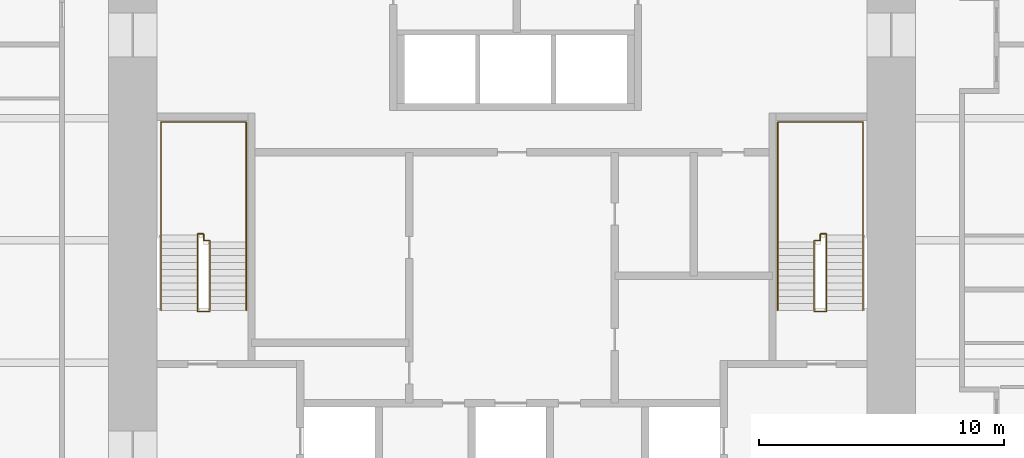
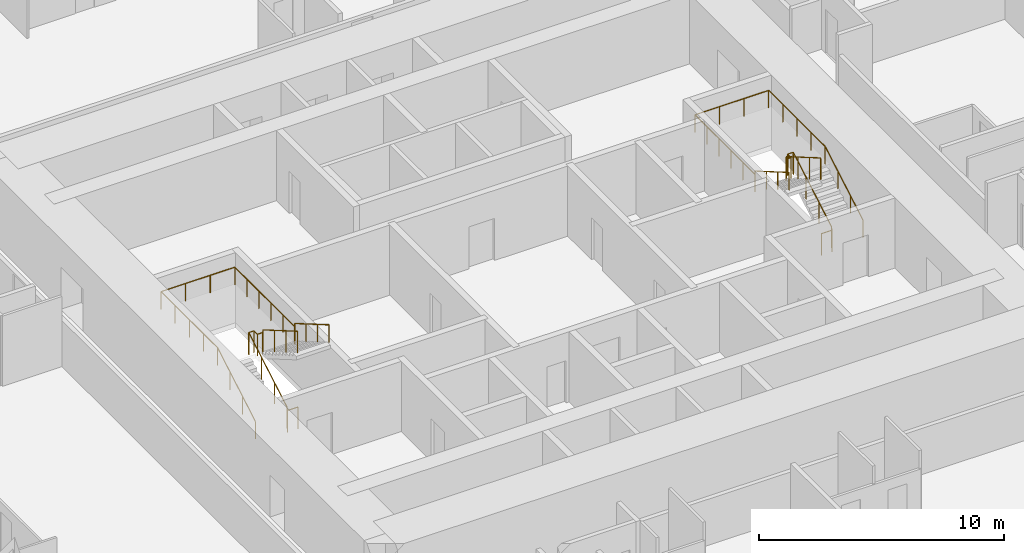
# One storey, part 17 of 17: 4 railings.
"""IFC4 building model written with IfcOpenShell, lengths in metres."""

from ifc_helpers import new_model, si_unit, direction, frame, origin, origin_2d, place, context, subcontext, project, spatial, circle, extrude, material, type_object, element, save


model = new_model("IFC4")

# Units and contexts
model_context = context("Model", 3, precision=1e-05, world=origin(), true_north=direction((0.0, 1.0)))
body_context = subcontext(model_context, "Body", "Model", "MODEL_VIEW")
ifc_project = project(units=[si_unit("LENGTHUNIT", "METRE"), si_unit("AREAUNIT", "SQUARE_METRE"), si_unit("VOLUMEUNIT", "CUBIC_METRE"), si_unit("PLANEANGLEUNIT", "RADIAN"), si_unit("MASSUNIT", "GRAM", prefix="KILO")], contexts=[model_context])

# Site, building, storey
site_placement = place(None, origin())
site = spatial("IfcSite", under=ifc_project, at=site_placement, CompositionType="ELEMENT")
building_placement = place(site_placement, origin())
building = spatial("IfcBuilding", under=site, at=building_placement, Name="Khuree Lantern Residences", CompositionType="ELEMENT")
storey_placement = place(building_placement, frame((0.0, 0.0, 77.25)))
storey = spatial("IfcBuildingStorey", under=building, at=storey_placement, Name="L19", CompositionType="ELEMENT", Elevation=77.25)

# Railings
ifc_material = material(Name="Steel S355", Category="steel")
railing_type_1 = type_object("IfcRailingType", Name="STAIR GUARD G1 1100", PredefinedType="GUARDRAIL", material=ifc_material)
railing_1_placement = place(storey_placement, frame((-12.35009765625, -2.909912109375, 0.0)))
element("IfcRailing", 1, at=railing_1_placement, inside=storey, type_object=railing_type_1, Name="Stair ST1 guard", PredefinedType="GUARDRAIL", context=body_context, shape_type="SweptSolid", body=[
    extrude(circle(Radius=0.02392578125, at=origin_2d()), frame((0.0, 0.0, 1.076171875), z_axis=(-1.0, 0.0, 0.0), x_axis=(0.0, -1.0, 0.0)), (0.0, 0.0, 1.0), 0.5),
    extrude(circle(Radius=0.02392578125, at=origin_2d()), frame((-0.5, 0.0, 1.076171875), z_axis=(0.0, 0.292073035251, 0.95639601739), x_axis=(-1.0, 0.0, 0.0)), (0.0, 0.0, 1.0), 0.17041015625),
    extrude(circle(Radius=0.02392578125, at=origin_2d()), frame((-0.5, 0.0498046875, 1.2392578125), z_axis=(0.0, 0.864176135923, 0.503189433615), x_axis=(-1.0, 0.0, 0.0)), (0.0, 0.0, 1.0), 3.564208984375),
    extrude(circle(Radius=0.02392578125, at=origin_2d()), frame((-0.5, 3.1298828125, 3.03271484375), z_axis=(0.0, 1.0, 0.0), x_axis=(-1.0, 0.0, 0.0)), (0.0, 0.0, 1.0), 0.050048828125),
    extrude(circle(Radius=0.02392578125, at=origin_2d()), frame((-0.5, 3.179931640625, 3.03271484375), z_axis=(1.0, 0.0, 0.0), x_axis=(0.0, 1.0, 0.0)), (0.0, 0.0, 1.0), 0.25),
    extrude(circle(Radius=0.02392578125, at=origin_2d()), frame((-0.25, 3.179931640625, 3.03271484375), z_axis=(0.0, -1.0, 0.0), x_axis=(1.0, 0.0, 0.0)), (0.0, 0.0, 1.0), 0.280029296875),
    extrude(circle(Radius=0.02392578125, at=origin_2d()), frame((-0.25, 2.89990234375, 3.03271484375), z_axis=(1.0, 0.0, 0.0), x_axis=(0.0, 1.0, 0.0)), (0.0, 0.0, 1.0), 0.25),
    extrude(circle(Radius=0.02392578125, at=origin_2d()), frame((0.0, 2.89990234375, 3.03271484375), z_axis=(0.0, -0.293381807449, 0.955995353053), x_axis=(1.0, 0.0, 0.0)), (0.0, 0.0, 1.0), 0.170654296875),
    extrude(circle(Radius=0.02392578125, at=origin_2d()), frame((0.0, 2.849853515625, 3.19580078125), z_axis=(0.0, -0.864180358799, 0.503182181189), x_axis=(1.0, 0.0, 0.0)), (0.0, 0.0, 1.0), 3.240234375),
    extrude(circle(Radius=0.02099609375, at=origin_2d()), origin(), (0.0, 0.0, 1.0), 1.052001953125),
    extrude(circle(Radius=0.02099609375, at=origin_2d()), frame((-0.5, 0.0, 0.0)), (0.0, 0.0, 1.0), 1.052001953125),
    extrude(circle(Radius=0.02099609375, at=origin_2d()), frame((-0.5, 0.0498046875, 0.1630859375)), (0.0, 0.0, 1.0), 1.052001953125),
    extrude(circle(Radius=0.02099609375, at=origin_2d()), frame((-0.5, 1.076416015625, 0.760986328125)), (0.0, 0.0, 1.0), 1.052001953125),
    extrude(circle(Radius=0.02099609375, at=origin_2d()), frame((-0.5, 2.103271484375, 1.358642578125)), (0.0, 0.0, 1.0), 1.052001953125),
    extrude(circle(Radius=0.02099609375, at=origin_2d()), frame((-0.5, 3.1298828125, 1.95654296875)), (0.0, 0.0, 1.0), 1.052001953125),
    extrude(circle(Radius=0.02099609375, at=origin_2d()), frame((-0.5, 3.179931640625, 1.95654296875)), (0.0, 0.0, 1.0), 1.052001953125),
    extrude(circle(Radius=0.02099609375, at=origin_2d()), frame((-0.25, 3.179931640625, 1.95654296875)), (0.0, 0.0, 1.0), 1.052001953125),
    extrude(circle(Radius=0.02099609375, at=origin_2d()), frame((-0.25, 2.89990234375, 1.95654296875)), (0.0, 0.0, 1.0), 1.052001953125),
    extrude(circle(Radius=0.02099609375, at=origin_2d()), frame((0.0, 2.89990234375, 1.95654296875)), (0.0, 0.0, 1.0), 1.052001953125),
    extrude(circle(Radius=0.02099609375, at=origin_2d()), frame((0.0, 2.849853515625, 2.11962890625)), (0.0, 0.0, 1.0), 1.052001953125),
    extrude(circle(Radius=0.02099609375, at=origin_2d()), frame((0.0, 1.91650390625, 2.6630859375)), (0.0, 0.0, 1.0), 1.052001953125),
    extrude(circle(Radius=0.02099609375, at=origin_2d()), frame((0.0, 0.983154296875, 3.20654296875)), (0.0, 0.0, 1.0), 1.052001953125),
    extrude(circle(Radius=0.02099609375, at=origin_2d()), frame((0.0, 0.0498046875, 3.75)), (0.0, 0.0, 1.0), 1.052001953125),
])
railing_2_placement = place(storey_placement, frame((12.35009765625, -2.909912109375, 0.0)))
element("IfcRailing", 2, at=railing_2_placement, inside=storey, type_object=railing_type_1, Name="Stair ST2 guard", PredefinedType="GUARDRAIL", context=body_context, shape_type="SweptSolid", body=[
    extrude(circle(Radius=0.02392578125, at=origin_2d()), frame((0.0, 0.0, 1.076171875), z_axis=(1.0, 0.0, 0.0), x_axis=(0.0, 1.0, 0.0)), (0.0, 0.0, 1.0), 0.5),
    extrude(circle(Radius=0.02392578125, at=origin_2d()), frame((0.5, 0.0, 1.076171875), z_axis=(0.0, 0.292073035251, 0.95639601739), x_axis=(-1.0, 0.0, 0.0)), (0.0, 0.0, 1.0), 0.17041015625),
    extrude(circle(Radius=0.02392578125, at=origin_2d()), frame((0.5, 0.0498046875, 1.2392578125), z_axis=(0.0, 0.864176135923, 0.503189433615), x_axis=(-1.0, 0.0, 0.0)), (0.0, 0.0, 1.0), 3.564208984375),
    extrude(circle(Radius=0.02392578125, at=origin_2d()), frame((0.5, 3.1298828125, 3.03271484375), z_axis=(0.0, 1.0, 0.0), x_axis=(-1.0, 0.0, 0.0)), (0.0, 0.0, 1.0), 0.050048828125),
    extrude(circle(Radius=0.02392578125, at=origin_2d()), frame((0.5, 3.179931640625, 3.03271484375), z_axis=(-1.0, 0.0, 0.0), x_axis=(0.0, -1.0, 0.0)), (0.0, 0.0, 1.0), 0.25),
    extrude(circle(Radius=0.02392578125, at=origin_2d()), frame((0.25, 3.179931640625, 3.03271484375), z_axis=(0.0, -1.0, 0.0), x_axis=(1.0, 0.0, 0.0)), (0.0, 0.0, 1.0), 0.280029296875),
    extrude(circle(Radius=0.02392578125, at=origin_2d()), frame((0.25, 2.89990234375, 3.03271484375), z_axis=(-1.0, 0.0, 0.0), x_axis=(0.0, -1.0, 0.0)), (0.0, 0.0, 1.0), 0.25),
    extrude(circle(Radius=0.02392578125, at=origin_2d()), frame((0.0, 2.89990234375, 3.03271484375), z_axis=(0.0, -0.293381807449, 0.955995353053), x_axis=(1.0, 0.0, 0.0)), (0.0, 0.0, 1.0), 0.170654296875),
    extrude(circle(Radius=0.02392578125, at=origin_2d()), frame((0.0, 2.849853515625, 3.19580078125), z_axis=(0.0, -0.864180358799, 0.503182181189), x_axis=(1.0, 0.0, 0.0)), (0.0, 0.0, 1.0), 3.240234375),
    extrude(circle(Radius=0.02099609375, at=origin_2d()), origin(), (0.0, 0.0, 1.0), 1.052001953125),
    extrude(circle(Radius=0.02099609375, at=origin_2d()), frame((0.5, 0.0, 0.0)), (0.0, 0.0, 1.0), 1.052001953125),
    extrude(circle(Radius=0.02099609375, at=origin_2d()), frame((0.5, 0.0498046875, 0.1630859375)), (0.0, 0.0, 1.0), 1.052001953125),
    extrude(circle(Radius=0.02099609375, at=origin_2d()), frame((0.5, 1.076416015625, 0.760986328125)), (0.0, 0.0, 1.0), 1.052001953125),
    extrude(circle(Radius=0.02099609375, at=origin_2d()), frame((0.5, 2.103271484375, 1.358642578125)), (0.0, 0.0, 1.0), 1.052001953125),
    extrude(circle(Radius=0.02099609375, at=origin_2d()), frame((0.5, 3.1298828125, 1.95654296875)), (0.0, 0.0, 1.0), 1.052001953125),
    extrude(circle(Radius=0.02099609375, at=origin_2d()), frame((0.5, 3.179931640625, 1.95654296875)), (0.0, 0.0, 1.0), 1.052001953125),
    extrude(circle(Radius=0.02099609375, at=origin_2d()), frame((0.25, 3.179931640625, 1.95654296875)), (0.0, 0.0, 1.0), 1.052001953125),
    extrude(circle(Radius=0.02099609375, at=origin_2d()), frame((0.25, 2.89990234375, 1.95654296875)), (0.0, 0.0, 1.0), 1.052001953125),
    extrude(circle(Radius=0.02099609375, at=origin_2d()), frame((0.0, 2.89990234375, 1.95654296875)), (0.0, 0.0, 1.0), 1.052001953125),
    extrude(circle(Radius=0.02099609375, at=origin_2d()), frame((0.0, 2.849853515625, 2.11962890625)), (0.0, 0.0, 1.0), 1.052001953125),
    extrude(circle(Radius=0.02099609375, at=origin_2d()), frame((0.0, 1.91650390625, 2.6630859375)), (0.0, 0.0, 1.0), 1.052001953125),
    extrude(circle(Radius=0.02099609375, at=origin_2d()), frame((0.0, 0.983154296875, 3.20654296875)), (0.0, 0.0, 1.0), 1.052001953125),
    extrude(circle(Radius=0.02099609375, at=origin_2d()), frame((0.0, 0.0498046875, 3.75)), (0.0, 0.0, 1.0), 1.052001953125),
])
railing_type_2 = type_object("IfcRailingType", Name="STAIR HANDRAIL H1 900", PredefinedType="HANDRAIL", material=ifc_material)
railing_3_placement = place(storey_placement, frame((-14.340087890625, -2.860107421875, 0.1630859375)))
element("IfcRailing", 3, at=railing_3_placement, inside=storey, type_object=railing_type_2, Name="Stair ST1 handrail", PredefinedType="HANDRAIL", context=body_context, shape_type="SweptSolid", body=[
    extrude(circle(Radius=0.02392578125, at=origin_2d()), frame((0.0, 0.0, 0.8759765625), z_axis=(0.0, 0.864176135923, 0.503189433615), x_axis=(-1.0, 0.0, 0.0)), (0.0, 0.0, 1.0), 3.564208984375),
    extrude(circle(Radius=0.02392578125, at=origin_2d()), frame((0.0, 3.080078125, 2.66943359375), z_axis=(0.0, 1.0, 0.0), x_axis=(-1.0, 0.0, 0.0)), (0.0, 0.0, 1.0), 4.6201171875),
    extrude(circle(Radius=0.02392578125, at=origin_2d()), frame((0.0, 7.7001953125, 2.66943359375), z_axis=(1.0, 0.0, 0.0), x_axis=(0.0, 1.0, 0.0)), (0.0, 0.0, 1.0), 3.47998046875),
    extrude(circle(Radius=0.02392578125, at=origin_2d()), frame((3.47998046875, 7.7001953125, 2.66943359375), z_axis=(0.0, -1.0, 0.0), x_axis=(1.0, 0.0, 0.0)), (0.0, 0.0, 1.0), 4.900146484375),
    extrude(circle(Radius=0.02392578125, at=origin_2d()), frame((3.47998046875, 2.800048828125, 2.66943359375), z_axis=(0.0, 0.0, 1.0), x_axis=(1.0, 0.0, 0.0)), (0.0, 0.0, 1.0), 0.1630859375),
    extrude(circle(Radius=0.02392578125, at=origin_2d()), frame((3.47998046875, 2.800048828125, 2.83251953125), z_axis=(0.0, -0.864180358799, 0.503182181189), x_axis=(1.0, 0.0, 0.0)), (0.0, 0.0, 1.0), 3.240234375),
    extrude(circle(Radius=0.02099609375, at=origin_2d()), origin(), (0.0, 0.0, 1.0), 0.851806640625),
    extrude(circle(Radius=0.02099609375, at=origin_2d()), frame((0.0, 1.026611328125, 0.597900390625)), (0.0, 0.0, 1.0), 0.851806640625),
    extrude(circle(Radius=0.02099609375, at=origin_2d()), frame((0.0, 2.053466796875, 1.195556640625)), (0.0, 0.0, 1.0), 0.851806640625),
    extrude(circle(Radius=0.02099609375, at=origin_2d()), frame((0.0, 3.080078125, 1.79345703125)), (0.0, 0.0, 1.0), 0.851806640625),
    extrude(circle(Radius=0.02099609375, at=origin_2d()), frame((0.0, 4.235107421875, 1.79345703125)), (0.0, 0.0, 1.0), 0.851806640625),
    extrude(circle(Radius=0.02099609375, at=origin_2d()), frame((0.0, 5.39013671875, 1.79345703125)), (0.0, 0.0, 1.0), 0.851806640625),
    extrude(circle(Radius=0.02099609375, at=origin_2d()), frame((0.0, 6.545166015625, 1.79345703125)), (0.0, 0.0, 1.0), 0.851806640625),
    extrude(circle(Radius=0.02099609375, at=origin_2d()), frame((0.0, 7.7001953125, 1.79345703125)), (0.0, 0.0, 1.0), 0.851806640625),
    extrude(circle(Radius=0.02099609375, at=origin_2d()), frame((1.159912109375, 7.7001953125, 1.79345703125)), (0.0, 0.0, 1.0), 0.851806640625),
    extrude(circle(Radius=0.02099609375, at=origin_2d()), frame((2.320068359375, 7.7001953125, 1.79345703125)), (0.0, 0.0, 1.0), 0.851806640625),
    extrude(circle(Radius=0.02099609375, at=origin_2d()), frame((3.47998046875, 7.7001953125, 1.79345703125)), (0.0, 0.0, 1.0), 0.851806640625),
    extrude(circle(Radius=0.02099609375, at=origin_2d()), frame((3.47998046875, 6.72021484375, 1.79345703125)), (0.0, 0.0, 1.0), 0.851806640625),
    extrude(circle(Radius=0.02099609375, at=origin_2d()), frame((3.47998046875, 5.740234375, 1.79345703125)), (0.0, 0.0, 1.0), 0.851806640625),
    extrude(circle(Radius=0.02099609375, at=origin_2d()), frame((3.47998046875, 4.760009765625, 1.79345703125)), (0.0, 0.0, 1.0), 0.851806640625),
    extrude(circle(Radius=0.02099609375, at=origin_2d()), frame((3.47998046875, 3.780029296875, 1.79345703125)), (0.0, 0.0, 1.0), 0.851806640625),
    extrude(circle(Radius=0.02099609375, at=origin_2d()), frame((3.47998046875, 2.800048828125, 1.79345703125)), (0.0, 0.0, 1.0), 0.851806640625),
    extrude(circle(Radius=0.02099609375, at=origin_2d()), frame((3.47998046875, 2.800048828125, 1.95654296875)), (0.0, 0.0, 1.0), 0.851806640625),
    extrude(circle(Radius=0.02099609375, at=origin_2d()), frame((3.47998046875, 1.86669921875, 2.5)), (0.0, 0.0, 1.0), 0.851806640625),
    extrude(circle(Radius=0.02099609375, at=origin_2d()), frame((3.47998046875, 0.933349609375, 3.04345703125)), (0.0, 0.0, 1.0), 0.851806640625),
    extrude(circle(Radius=0.02099609375, at=origin_2d()), frame((3.47998046875, 0.0, 3.5869140625)), (0.0, 0.0, 1.0), 0.851806640625),
])
railing_4_placement = place(storey_placement, frame((14.340087890625, -2.860107421875, 0.1630859375)))
element("IfcRailing", 4, at=railing_4_placement, inside=storey, type_object=railing_type_2, Name="Stair ST2 handrail", PredefinedType="HANDRAIL", context=body_context, shape_type="SweptSolid", body=[
    extrude(circle(Radius=0.02392578125, at=origin_2d()), frame((0.0, 0.0, 0.8759765625), z_axis=(0.0, 0.864176135923, 0.503189433615), x_axis=(-1.0, 0.0, 0.0)), (0.0, 0.0, 1.0), 3.564208984375),
    extrude(circle(Radius=0.02392578125, at=origin_2d()), frame((0.0, 3.080078125, 2.66943359375), z_axis=(0.0, 1.0, 0.0), x_axis=(-1.0, 0.0, 0.0)), (0.0, 0.0, 1.0), 4.6201171875),
    extrude(circle(Radius=0.02392578125, at=origin_2d()), frame((0.0, 7.7001953125, 2.66943359375), z_axis=(-1.0, 0.0, 0.0), x_axis=(0.0, -1.0, 0.0)), (0.0, 0.0, 1.0), 3.47998046875),
    extrude(circle(Radius=0.02392578125, at=origin_2d()), frame((-3.47998046875, 7.7001953125, 2.66943359375), z_axis=(0.0, -1.0, 0.0), x_axis=(1.0, 0.0, 0.0)), (0.0, 0.0, 1.0), 4.900146484375),
    extrude(circle(Radius=0.02392578125, at=origin_2d()), frame((-3.47998046875, 2.800048828125, 2.66943359375), z_axis=(0.0, 0.0, 1.0), x_axis=(1.0, 0.0, 0.0)), (0.0, 0.0, 1.0), 0.1630859375),
    extrude(circle(Radius=0.02392578125, at=origin_2d()), frame((-3.47998046875, 2.800048828125, 2.83251953125), z_axis=(0.0, -0.864180358799, 0.503182181189), x_axis=(1.0, 0.0, 0.0)), (0.0, 0.0, 1.0), 3.240234375),
    extrude(circle(Radius=0.02099609375, at=origin_2d()), origin(), (0.0, 0.0, 1.0), 0.851806640625),
    extrude(circle(Radius=0.02099609375, at=origin_2d()), frame((0.0, 1.026611328125, 0.597900390625)), (0.0, 0.0, 1.0), 0.851806640625),
    extrude(circle(Radius=0.02099609375, at=origin_2d()), frame((0.0, 2.053466796875, 1.195556640625)), (0.0, 0.0, 1.0), 0.851806640625),
    extrude(circle(Radius=0.02099609375, at=origin_2d()), frame((0.0, 3.080078125, 1.79345703125)), (0.0, 0.0, 1.0), 0.851806640625),
    extrude(circle(Radius=0.02099609375, at=origin_2d()), frame((0.0, 4.235107421875, 1.79345703125)), (0.0, 0.0, 1.0), 0.851806640625),
    extrude(circle(Radius=0.02099609375, at=origin_2d()), frame((0.0, 5.39013671875, 1.79345703125)), (0.0, 0.0, 1.0), 0.851806640625),
    extrude(circle(Radius=0.02099609375, at=origin_2d()), frame((0.0, 6.545166015625, 1.79345703125)), (0.0, 0.0, 1.0), 0.851806640625),
    extrude(circle(Radius=0.02099609375, at=origin_2d()), frame((0.0, 7.7001953125, 1.79345703125)), (0.0, 0.0, 1.0), 0.851806640625),
    extrude(circle(Radius=0.02099609375, at=origin_2d()), frame((-1.159912109375, 7.7001953125, 1.79345703125)), (0.0, 0.0, 1.0), 0.851806640625),
    extrude(circle(Radius=0.02099609375, at=origin_2d()), frame((-2.320068359375, 7.7001953125, 1.79345703125)), (0.0, 0.0, 1.0), 0.851806640625),
    extrude(circle(Radius=0.02099609375, at=origin_2d()), frame((-3.47998046875, 7.7001953125, 1.79345703125)), (0.0, 0.0, 1.0), 0.851806640625),
    extrude(circle(Radius=0.02099609375, at=origin_2d()), frame((-3.47998046875, 6.72021484375, 1.79345703125)), (0.0, 0.0, 1.0), 0.851806640625),
    extrude(circle(Radius=0.02099609375, at=origin_2d()), frame((-3.47998046875, 5.740234375, 1.79345703125)), (0.0, 0.0, 1.0), 0.851806640625),
    extrude(circle(Radius=0.02099609375, at=origin_2d()), frame((-3.47998046875, 4.760009765625, 1.79345703125)), (0.0, 0.0, 1.0), 0.851806640625),
    extrude(circle(Radius=0.02099609375, at=origin_2d()), frame((-3.47998046875, 3.780029296875, 1.79345703125)), (0.0, 0.0, 1.0), 0.851806640625),
    extrude(circle(Radius=0.02099609375, at=origin_2d()), frame((-3.47998046875, 2.800048828125, 1.79345703125)), (0.0, 0.0, 1.0), 0.851806640625),
    extrude(circle(Radius=0.02099609375, at=origin_2d()), frame((-3.47998046875, 2.800048828125, 1.95654296875)), (0.0, 0.0, 1.0), 0.851806640625),
    extrude(circle(Radius=0.02099609375, at=origin_2d()), frame((-3.47998046875, 1.86669921875, 2.5)), (0.0, 0.0, 1.0), 0.851806640625),
    extrude(circle(Radius=0.02099609375, at=origin_2d()), frame((-3.47998046875, 0.933349609375, 3.04345703125)), (0.0, 0.0, 1.0), 0.851806640625),
    extrude(circle(Radius=0.02099609375, at=origin_2d()), frame((-3.47998046875, 0.0, 3.5869140625)), (0.0, 0.0, 1.0), 0.851806640625),
])

save(model, "model.ifc")
